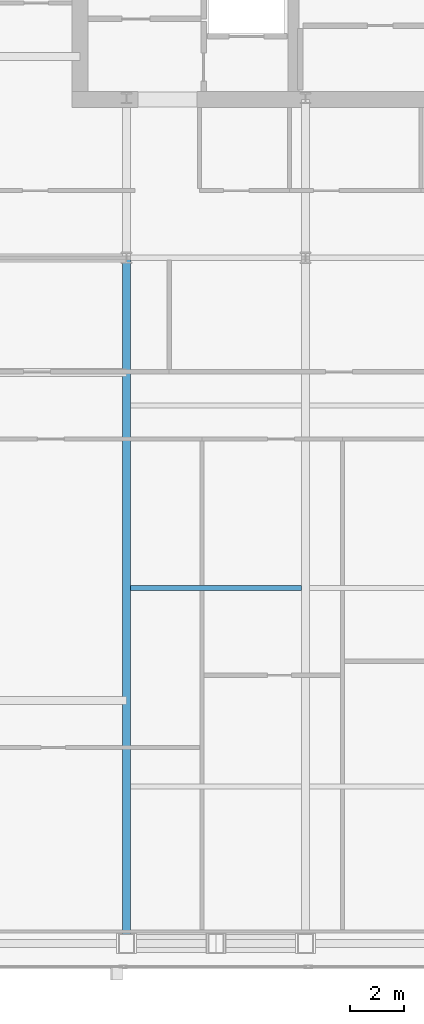
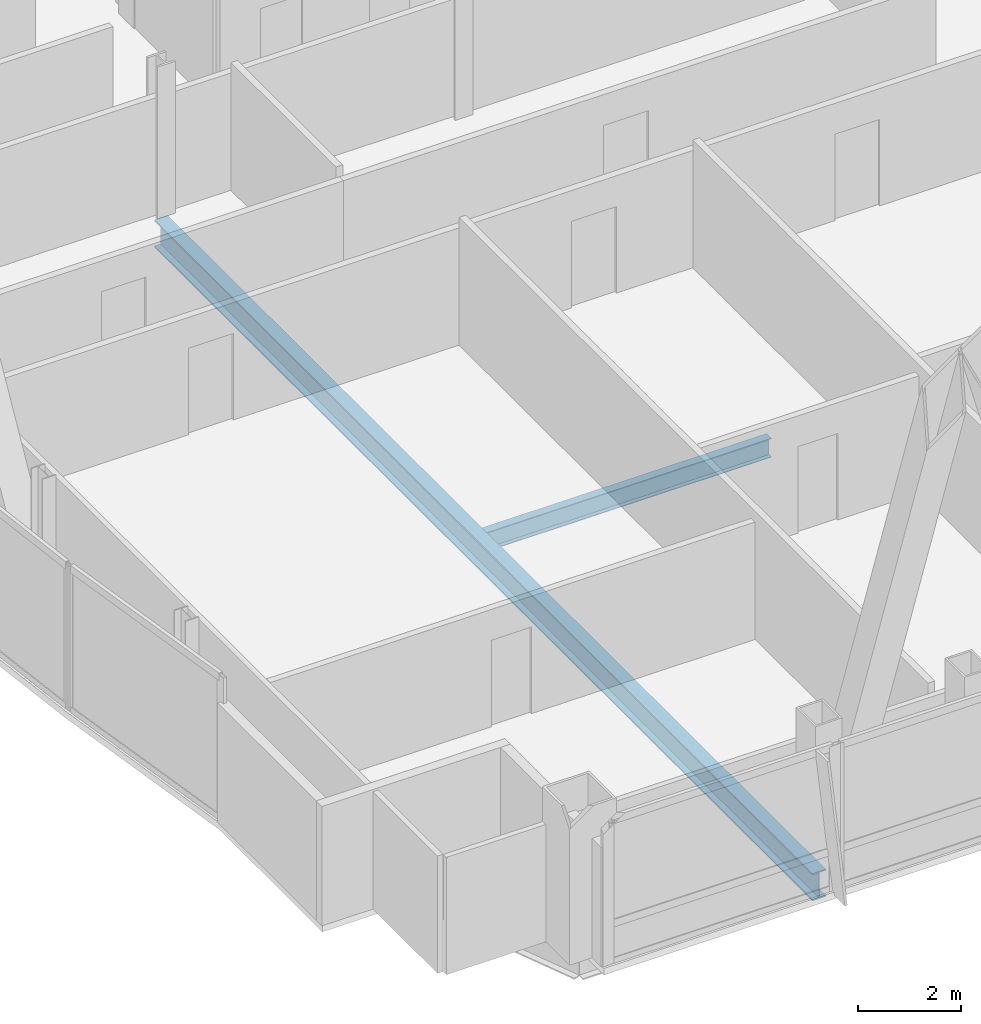
# One storey, part 7 of 31: 2 beams.
"""IFC4 building model written with IfcOpenShell, lengths in metres."""

from ifc_helpers import new_model, si_unit, direction, frame, origin, origin_2d, place, context, subcontext, project, spatial, i_section, extrude, material, material_profile, profile_set, type_object, element, save


model = new_model("IFC4")

# Units and contexts
model_context = context("Model", 3, precision=1e-05, world=origin(), true_north=direction((0.0, 1.0)))
body_context = subcontext(model_context, "Body", "Model", "MODEL_VIEW")
ifc_project = project(units=[si_unit("LENGTHUNIT", "METRE"), si_unit("AREAUNIT", "SQUARE_METRE"), si_unit("VOLUMEUNIT", "CUBIC_METRE"), si_unit("PLANEANGLEUNIT", "RADIAN"), si_unit("MASSUNIT", "GRAM", prefix="KILO")], contexts=[model_context])

# Site, building, storey
site_placement = place(None, origin())
site = spatial("IfcSite", under=ifc_project, at=site_placement, CompositionType="ELEMENT")
building_placement = place(site_placement, origin())
building = spatial("IfcBuilding", under=site, at=building_placement, Name="Khoronbel Lancet Exchange", CompositionType="ELEMENT")
storey_placement = place(building_placement, frame((0.0, 0.0, 249.800048828125)))
storey = spatial("IfcBuildingStorey", under=building, at=storey_placement, Name="L64", CompositionType="ELEMENT", Elevation=249.800048828125)

# Beams
ifc_material = material(Name="Steel S355", Category="steel")
ifc_material_profile_1 = material_profile(ifc_material, i_section(OverallWidth=0.300048828125, OverallDepth=0.64990234375, WebThickness=0.01611328125, FlangeThickness=0.031005859375, at=origin_2d()), Name="HEB 650")
ifc_profile_set_1 = profile_set([ifc_material_profile_1], Name="Steel S355")
beam_type_1 = type_object("IfcBeamType", Name="BM-BG4", PredefinedType="BEAM", material=ifc_profile_set_1)
beam_1_placement = place(storey_placement, frame((18.22509765625, 10.14990234375, -0.485107421875), z_axis=(0.0, 1.0, 0.0), x_axis=(-1.0, 0.0, 0.0)))
element("IfcBeam", 1, at=beam_1_placement, inside=storey, type_object=beam_type_1, Name="Level L64 south primary girder GS1", PredefinedType="BEAM", context=body_context, shape_type="SweptSolid", body=[
    extrude(i_section(OverallWidth=0.300048828125, OverallDepth=0.64990234375, WebThickness=0.01611328125, FlangeThickness=0.031005859375, at=origin_2d()), origin(), (0.0, 0.0, 1.0), 25.550048828125),
])
ifc_material_profile_2 = material_profile(ifc_material, i_section(OverallWidth=0.18994140625, OverallDepth=0.449951171875, WebThickness=0.009521484375, FlangeThickness=0.0146484375, at=origin_2d()), Name="IPE 450")
ifc_profile_set_2 = profile_set([ifc_material_profile_2], Name="Steel S355")
beam_type_2 = type_object("IfcBeamType", Name="BM-BJ4", PredefinedType="JOIST", material=ifc_profile_set_2)
beam_2_placement = place(storey_placement, frame((18.375, 23.39990234375, -0.385009765625), z_axis=(1.0, 0.0, 0.0), x_axis=(0.0, 1.0, 0.0)))
element("IfcBeam", 2, at=beam_2_placement, inside=storey, type_object=beam_type_2, Name="Level L64 secondary composite joist J06", PredefinedType="JOIST", context=body_context, shape_type="SweptSolid", body=[
    extrude(i_section(OverallWidth=0.18994140625, OverallDepth=0.449951171875, WebThickness=0.009521484375, FlangeThickness=0.0146484375, at=origin_2d()), origin(), (0.0, 0.0, 1.0), 6.375),
])

save(model, "model.ifc")
